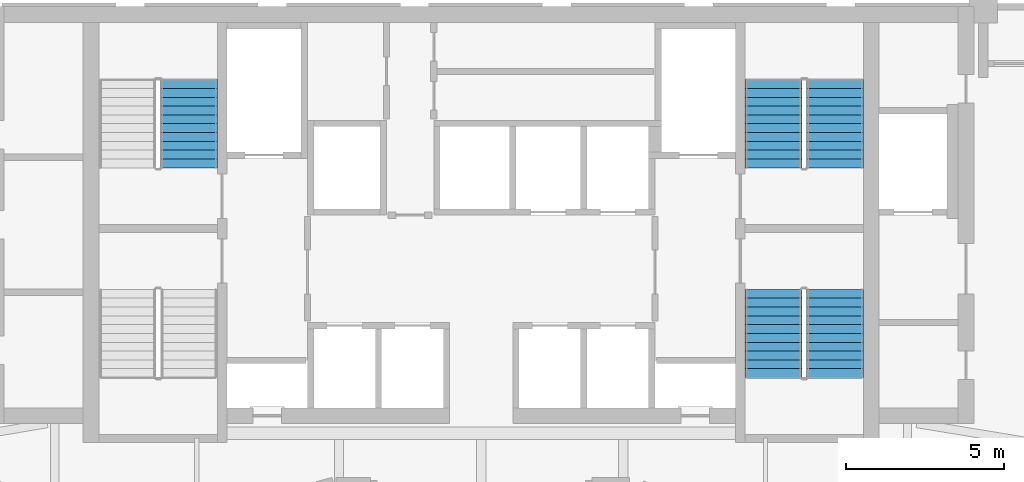
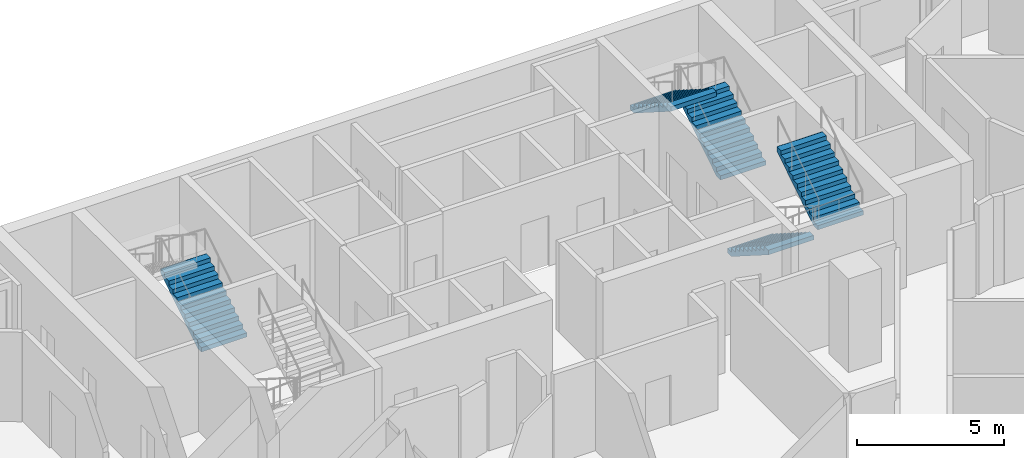
# One storey, part 9 of 10: 5 stair flights, 3 elements without a shape of their own.
"""IFC4 building model written with IfcOpenShell, lengths in metres."""

from ifc_helpers import new_model, si_unit, direction, frame, origin, place, context, subcontext, project, spatial, faceted_brep, source, transform, mapped, material, type_object, element, aggregate, save


model = new_model("IFC4")

# Units and contexts
model_context = context("Model", 3, precision=1e-05, world=origin(), true_north=direction((0.0, 1.0)))
body_context = subcontext(model_context, "Body", "Model", "MODEL_VIEW")
ifc_project = project(units=[si_unit("LENGTHUNIT", "METRE"), si_unit("AREAUNIT", "SQUARE_METRE"), si_unit("VOLUMEUNIT", "CUBIC_METRE"), si_unit("PLANEANGLEUNIT", "RADIAN"), si_unit("MASSUNIT", "GRAM", prefix="KILO")], contexts=[model_context])

# Site, building, storey
site_placement = place(None, origin())
site = spatial("IfcSite", under=ifc_project, at=site_placement, CompositionType="ELEMENT")
building_placement = place(site_placement, origin())
building = spatial("IfcBuilding", under=site, at=building_placement, Name="Calabash Gate Tower", CompositionType="ELEMENT")
storey_placement = place(building_placement, frame((0.0, 0.0, 164.10009765625)))
storey = spatial("IfcBuildingStorey", under=building, at=storey_placement, Name="L38", CompositionType="ELEMENT", Elevation=164.10009765625)

# Stair, stair flight
ifc_material_1 = material(Name="Concrete C40/50", Category="concrete")
stair_type = type_object("IfcStairType", Name="Exit stair 22 risers of 177.3 mm", PredefinedType="HALF_TURN_STAIR", material=ifc_material_1)
stair_1_placement = place(storey_placement, origin())
stair_1 = element("IfcStair", 1, at=stair_1_placement, inside=storey, type_object=stair_type, Name="L38 Exit stair ST1", PredefinedType="HALF_TURN_STAIR")
ifc_material_2 = material(Name="Concrete C40/50", Category="concrete")
stair_flight_type = type_object("IfcStairFlightType", Name="Exit stair flight SFL", PredefinedType="STRAIGHT", material=ifc_material_2)
shared_shape = source(origin(), body_context, "Body", "Brep", [
    faceted_brep([(-0.0009765625, -0.89990234375, 0.0), (0.279541015625, -0.89990234375, 0.0), (2.791015625, -0.89990234375, 1.59521484375), (-0.0009765625, 0.89990234375, 0.0), (2.791015625, 0.89990234375, 1.59521484375), (0.279541015625, 0.89990234375, 0.0), (2.791015625, -0.89990234375, 1.78466796875), (2.7900390625, -0.89990234375, 1.78466796875), (2.7900390625, 0.89990234375, 1.78466796875), (2.791015625, 0.89990234375, 1.78466796875), (2.7900390625, -0.89990234375, 1.772705078125), (2.7900390625, 0.89990234375, 1.772705078125), (2.510986328125, -0.89990234375, 1.772705078125), (2.510986328125, 0.89990234375, 1.772705078125), (2.510986328125, -0.89990234375, 1.595458984375), (2.510986328125, 0.89990234375, 1.595458984375), (2.23193359375, -0.89990234375, 1.595458984375), (2.23193359375, 0.89990234375, 1.595458984375), (2.23193359375, -0.89990234375, 1.418212890625), (2.23193359375, 0.89990234375, 1.418212890625), (1.952880859375, -0.89990234375, 1.418212890625), (1.952880859375, -0.89990234375, 1.240966796875), (1.952880859375, 0.89990234375, 1.240966796875), (1.952880859375, 0.89990234375, 1.418212890625), (1.674072265625, -0.89990234375, 1.240966796875), (1.674072265625, -0.89990234375, 1.063720703125), (1.674072265625, 0.89990234375, 1.063720703125), (1.674072265625, 0.89990234375, 1.240966796875), (1.39501953125, -0.89990234375, 1.063720703125), (1.39501953125, -0.89990234375, 0.886474609375), (1.39501953125, 0.89990234375, 0.886474609375), (1.39501953125, 0.89990234375, 1.063720703125), (1.115966796875, -0.89990234375, 0.886474609375), (1.115966796875, -0.89990234375, 0.708984375), (1.115966796875, 0.89990234375, 0.708984375), (1.115966796875, 0.89990234375, 0.886474609375), (0.8369140625, -0.89990234375, 0.708984375), (0.8369140625, -0.89990234375, 0.53173828125), (0.8369140625, 0.89990234375, 0.53173828125), (0.8369140625, 0.89990234375, 0.708984375), (0.55810546875, -0.89990234375, 0.53173828125), (0.55810546875, -0.89990234375, 0.3544921875), (0.55810546875, 0.89990234375, 0.3544921875), (0.55810546875, 0.89990234375, 0.53173828125), (0.279052734375, -0.89990234375, 0.3544921875), (0.279052734375, -0.89990234375, 0.17724609375), (0.279052734375, 0.89990234375, 0.17724609375), (0.279052734375, 0.89990234375, 0.3544921875), (-0.0009765625, -0.89990234375, 0.17724609375), (-0.0009765625, 0.89990234375, 0.17724609375), (0.279541015625, -0.360107421875, 0.0), (2.791015625, -0.360107421875, 1.59521484375), (0.279541015625, 0.0, 0.0), (2.791015625, 0.0, 1.59521484375), (0.279541015625, 0.360107421875, 0.0), (2.791015625, 0.360107421875, 1.59521484375), (2.791015625, -0.360107421875, 1.78466796875), (2.791015625, 0.0, 1.78466796875), (2.791015625, 0.360107421875, 1.78466796875), (2.7900390625, -0.360107421875, 1.78466796875), (2.7900390625, 0.0, 1.78466796875), (2.7900390625, 0.360107421875, 1.78466796875), (2.7900390625, -0.360107421875, 1.772705078125), (2.7900390625, 0.0, 1.772705078125), (2.7900390625, 0.360107421875, 1.772705078125), (2.510986328125, -0.360107421875, 1.772705078125), (2.510986328125, 0.0, 1.772705078125), (2.510986328125, 0.360107421875, 1.772705078125), (2.510986328125, -0.360107421875, 1.595458984375), (2.510986328125, 0.0, 1.595458984375), (2.510986328125, 0.360107421875, 1.595458984375), (2.23193359375, -0.360107421875, 1.595458984375), (2.23193359375, 0.0, 1.595458984375), (2.23193359375, 0.360107421875, 1.595458984375), (2.23193359375, -0.360107421875, 1.418212890625), (2.23193359375, 0.0, 1.418212890625), (2.23193359375, 0.360107421875, 1.418212890625), (1.952880859375, -0.360107421875, 1.418212890625), (1.952880859375, 0.0, 1.418212890625), (1.952880859375, 0.360107421875, 1.418212890625), (1.952880859375, -0.360107421875, 1.240966796875), (1.952880859375, 0.0, 1.240966796875), (1.952880859375, 0.360107421875, 1.240966796875), (1.674072265625, -0.360107421875, 1.240966796875), (1.674072265625, 0.0, 1.240966796875), (1.674072265625, 0.360107421875, 1.240966796875), (1.674072265625, -0.360107421875, 1.063720703125), (1.674072265625, 0.0, 1.063720703125), (1.674072265625, 0.360107421875, 1.063720703125), (1.39501953125, -0.360107421875, 1.063720703125), (1.39501953125, 0.0, 1.063720703125), (1.39501953125, 0.360107421875, 1.063720703125), (1.39501953125, -0.360107421875, 0.886474609375), (1.39501953125, 0.0, 0.886474609375), (1.39501953125, 0.360107421875, 0.886474609375), (1.115966796875, -0.360107421875, 0.886474609375), (1.115966796875, 0.0, 0.886474609375), (1.115966796875, 0.360107421875, 0.886474609375), (1.115966796875, -0.360107421875, 0.708984375), (1.115966796875, 0.0, 0.708984375), (1.115966796875, 0.360107421875, 0.708984375), (0.8369140625, -0.360107421875, 0.708984375), (0.8369140625, 0.0, 0.708984375), (0.8369140625, 0.360107421875, 0.708984375), (0.8369140625, -0.360107421875, 0.53173828125), (0.8369140625, 0.0, 0.53173828125), (0.8369140625, 0.360107421875, 0.53173828125), (0.55810546875, -0.360107421875, 0.53173828125), (0.55810546875, 0.0, 0.53173828125), (0.55810546875, 0.360107421875, 0.53173828125), (0.55810546875, -0.360107421875, 0.3544921875), (0.55810546875, 0.0, 0.3544921875), (0.55810546875, 0.360107421875, 0.3544921875), (0.279052734375, -0.360107421875, 0.3544921875), (0.279052734375, 0.0, 0.3544921875), (0.279052734375, 0.360107421875, 0.3544921875), (0.279052734375, -0.360107421875, 0.17724609375), (0.279052734375, 0.0, 0.17724609375), (0.279052734375, 0.360107421875, 0.17724609375), (-0.0009765625, -0.360107421875, 0.17724609375), (-0.0009765625, 0.0, 0.17724609375), (-0.0009765625, 0.360107421875, 0.17724609375), (-0.0009765625, -0.360107421875, 0.0), (-0.0009765625, 0.0, 0.0), (-0.0009765625, 0.360107421875, 0.0)], [[[0, 1, 2]], [[3, 4, 5]], [[2, 6, 7]], [[4, 8, 9]], [[2, 7, 10]], [[4, 11, 8]], [[2, 10, 12]], [[4, 13, 11]], [[2, 12, 14]], [[4, 15, 13]], [[2, 14, 16]], [[4, 17, 15]], [[2, 16, 18]], [[4, 19, 17]], [[18, 20, 21]], [[19, 22, 23]], [[2, 18, 21]], [[4, 22, 19]], [[21, 24, 25]], [[22, 26, 27]], [[2, 21, 25]], [[4, 26, 22]], [[25, 28, 29]], [[26, 30, 31]], [[2, 25, 29]], [[4, 30, 26]], [[29, 32, 33]], [[30, 34, 35]], [[2, 29, 33]], [[4, 34, 30]], [[33, 36, 37]], [[34, 38, 39]], [[2, 33, 37]], [[4, 38, 34]], [[37, 40, 41]], [[38, 42, 43]], [[2, 37, 41]], [[4, 42, 38]], [[41, 44, 45]], [[42, 46, 47]], [[2, 41, 45]], [[4, 46, 42]], [[0, 2, 45]], [[3, 46, 4]], [[45, 48, 0]], [[46, 3, 49]], [[1, 50, 2]], [[50, 51, 2]], [[50, 52, 51]], [[52, 53, 51]], [[52, 54, 55]], [[52, 55, 53]], [[54, 5, 4]], [[54, 4, 55]], [[2, 51, 6]], [[51, 56, 6]], [[51, 53, 56]], [[53, 57, 56]], [[53, 55, 58]], [[53, 58, 57]], [[55, 4, 9]], [[55, 9, 58]], [[6, 56, 7]], [[56, 59, 7]], [[56, 57, 59]], [[57, 60, 59]], [[57, 58, 61]], [[57, 61, 60]], [[58, 9, 8]], [[58, 8, 61]], [[7, 59, 10]], [[59, 62, 10]], [[59, 60, 62]], [[60, 63, 62]], [[60, 61, 64]], [[60, 64, 63]], [[61, 8, 11]], [[61, 11, 64]], [[10, 62, 12]], [[62, 65, 12]], [[62, 63, 65]], [[63, 66, 65]], [[63, 64, 67]], [[63, 67, 66]], [[64, 11, 13]], [[64, 13, 67]], [[12, 65, 14]], [[65, 68, 14]], [[65, 66, 68]], [[66, 69, 68]], [[66, 67, 70]], [[66, 70, 69]], [[67, 13, 15]], [[67, 15, 70]], [[14, 68, 16]], [[68, 71, 16]], [[68, 69, 71]], [[69, 72, 71]], [[69, 70, 73]], [[69, 73, 72]], [[70, 15, 17]], [[70, 17, 73]], [[16, 71, 18]], [[71, 74, 18]], [[71, 72, 74]], [[72, 75, 74]], [[72, 73, 76]], [[72, 76, 75]], [[73, 17, 19]], [[73, 19, 76]], [[18, 74, 20]], [[74, 77, 20]], [[74, 75, 77]], [[75, 78, 77]], [[75, 76, 79]], [[75, 79, 78]], [[76, 19, 23]], [[76, 23, 79]], [[20, 77, 21]], [[77, 80, 21]], [[77, 78, 80]], [[78, 81, 80]], [[78, 79, 82]], [[78, 82, 81]], [[79, 23, 22]], [[79, 22, 82]], [[21, 80, 24]], [[80, 83, 24]], [[80, 81, 83]], [[81, 84, 83]], [[81, 82, 85]], [[81, 85, 84]], [[82, 22, 27]], [[82, 27, 85]], [[24, 83, 25]], [[83, 86, 25]], [[83, 84, 86]], [[84, 87, 86]], [[84, 85, 88]], [[84, 88, 87]], [[85, 27, 26]], [[85, 26, 88]], [[25, 86, 28]], [[86, 89, 28]], [[86, 87, 89]], [[87, 90, 89]], [[87, 88, 91]], [[87, 91, 90]], [[88, 26, 31]], [[88, 31, 91]], [[28, 89, 29]], [[89, 92, 29]], [[89, 90, 92]], [[90, 93, 92]], [[90, 91, 94]], [[90, 94, 93]], [[91, 31, 30]], [[91, 30, 94]], [[29, 92, 32]], [[92, 95, 32]], [[92, 93, 95]], [[93, 96, 95]], [[93, 94, 97]], [[93, 97, 96]], [[94, 30, 35]], [[94, 35, 97]], [[32, 95, 33]], [[95, 98, 33]], [[95, 96, 98]], [[96, 99, 98]], [[96, 97, 100]], [[96, 100, 99]], [[97, 35, 34]], [[97, 34, 100]], [[33, 98, 36]], [[98, 101, 36]], [[98, 99, 101]], [[99, 102, 101]], [[99, 100, 103]], [[99, 103, 102]], [[100, 34, 39]], [[100, 39, 103]], [[36, 101, 37]], [[101, 104, 37]], [[101, 102, 104]], [[102, 105, 104]], [[102, 103, 106]], [[102, 106, 105]], [[103, 39, 38]], [[103, 38, 106]], [[37, 104, 40]], [[104, 107, 40]], [[104, 105, 107]], [[105, 108, 107]], [[105, 106, 109]], [[105, 109, 108]], [[106, 38, 43]], [[106, 43, 109]], [[40, 107, 41]], [[107, 110, 41]], [[107, 108, 110]], [[108, 111, 110]], [[108, 109, 112]], [[108, 112, 111]], [[109, 43, 42]], [[109, 42, 112]], [[41, 110, 44]], [[110, 113, 44]], [[110, 111, 113]], [[111, 114, 113]], [[111, 112, 115]], [[111, 115, 114]], [[112, 42, 47]], [[112, 47, 115]], [[44, 113, 45]], [[113, 116, 45]], [[113, 114, 116]], [[114, 117, 116]], [[114, 115, 118]], [[114, 118, 117]], [[115, 47, 46]], [[115, 46, 118]], [[45, 116, 48]], [[116, 119, 48]], [[116, 117, 119]], [[117, 120, 119]], [[117, 118, 121]], [[117, 121, 120]], [[118, 46, 49]], [[118, 49, 121]], [[48, 119, 0]], [[119, 122, 0]], [[119, 120, 122]], [[120, 123, 122]], [[120, 121, 124]], [[120, 124, 123]], [[121, 49, 3]], [[121, 3, 124]], [[0, 122, 1]], [[122, 50, 1]], [[122, 123, 50]], [[123, 52, 50]], [[123, 124, 54]], [[123, 54, 52]], [[124, 3, 5]], [[124, 5, 54]]]),
])
stair_flight_1_placement = place(storey_placement, frame((-9.25, 13.95263671875, 0.0), z_axis=(0.0, 0.0, 1.0), x_axis=(0.0, 1.0, 0.0)))
stair_flight_1 = element("IfcStairFlight", 2, at=stair_flight_1_placement, type_object=stair_flight_type, Name="ST1 flight 1", NumberOfRisers=11, NumberOfTreads=10, PredefinedType="STRAIGHT", RiserHeight=0.177272727, TreadLength=0.279, context=body_context, shape_type="MappedRepresentation", body=[
    mapped(shared_shape, transform((0.0, 0.0, 0.0), scale=1.0)),
])
aggregate(stair_1, [stair_flight_1])

# Stair, stair flights
stair_2_placement = place(storey_placement, origin())
stair_2 = element("IfcStair", 3, at=stair_2_placement, inside=storey, type_object=stair_type, Name="L38 Exit stair ST3", PredefinedType="HALF_TURN_STAIR")
stair_flight_2_placement = place(storey_placement, frame((11.199951171875, 13.95263671875, 0.0), z_axis=(0.0, 0.0, 1.0), x_axis=(0.0, 1.0, 0.0)))
stair_flight_2 = element("IfcStairFlight", 4, at=stair_flight_2_placement, type_object=stair_flight_type, Name="ST3 flight 1", NumberOfRisers=11, NumberOfTreads=10, PredefinedType="STRAIGHT", RiserHeight=0.177272727, TreadLength=0.279, context=body_context, shape_type="MappedRepresentation", body=[
    mapped(shared_shape, transform((0.0, 0.0, 0.0), scale=1.0)),
])
stair_flight_3_placement = place(storey_placement, frame((9.25, 16.74267578125, 1.949951171875), z_axis=(0.0, 0.0, 1.0), x_axis=(0.0, -1.0, 0.0)))
stair_flight_3 = element("IfcStairFlight", 5, at=stair_flight_3_placement, type_object=stair_flight_type, Name="ST3 flight 2", NumberOfRisers=11, NumberOfTreads=10, PredefinedType="STRAIGHT", RiserHeight=0.177272727, TreadLength=0.279, context=body_context, shape_type="MappedRepresentation", body=[
    mapped(shared_shape, transform((0.0, 0.0, 0.0), scale=1.0)),
])
aggregate(stair_2, [stair_flight_2, stair_flight_3])

stair_3_placement = place(storey_placement, origin())
stair_3 = element("IfcStair", 6, at=stair_3_placement, inside=storey, type_object=stair_type, Name="L38 Exit stair ST4", PredefinedType="HALF_TURN_STAIR")
stair_flight_4_placement = place(storey_placement, frame((9.25, 10.1025390625, 0.0), z_axis=(0.0, 0.0, 1.0), x_axis=(0.0, -1.0, 0.0)))
stair_flight_4 = element("IfcStairFlight", 7, at=stair_flight_4_placement, type_object=stair_flight_type, Name="ST4 flight 1", NumberOfRisers=11, NumberOfTreads=10, PredefinedType="STRAIGHT", RiserHeight=0.177272727, TreadLength=0.279, context=body_context, shape_type="MappedRepresentation", body=[
    mapped(shared_shape, transform((0.0, 0.0, 0.0), scale=1.0)),
])
stair_flight_5_placement = place(storey_placement, frame((11.199951171875, 7.3125, 1.949951171875), z_axis=(0.0, 0.0, 1.0), x_axis=(0.0, 1.0, 0.0)))
stair_flight_5 = element("IfcStairFlight", 8, at=stair_flight_5_placement, type_object=stair_flight_type, Name="ST4 flight 2", NumberOfRisers=11, NumberOfTreads=10, PredefinedType="STRAIGHT", RiserHeight=0.177272727, TreadLength=0.279, context=body_context, shape_type="MappedRepresentation", body=[
    mapped(shared_shape, transform((0.0, 0.0, 0.0), scale=1.0)),
])
aggregate(stair_3, [stair_flight_4, stair_flight_5])

save(model, "model.ifc")
